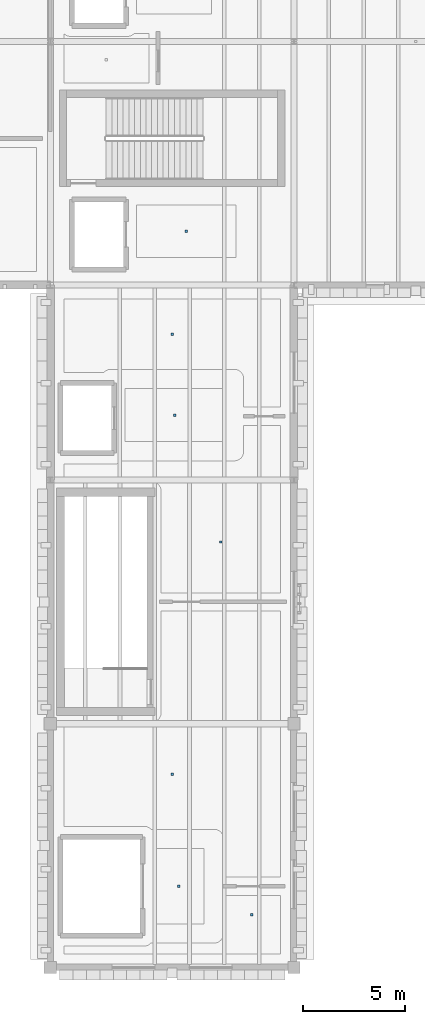
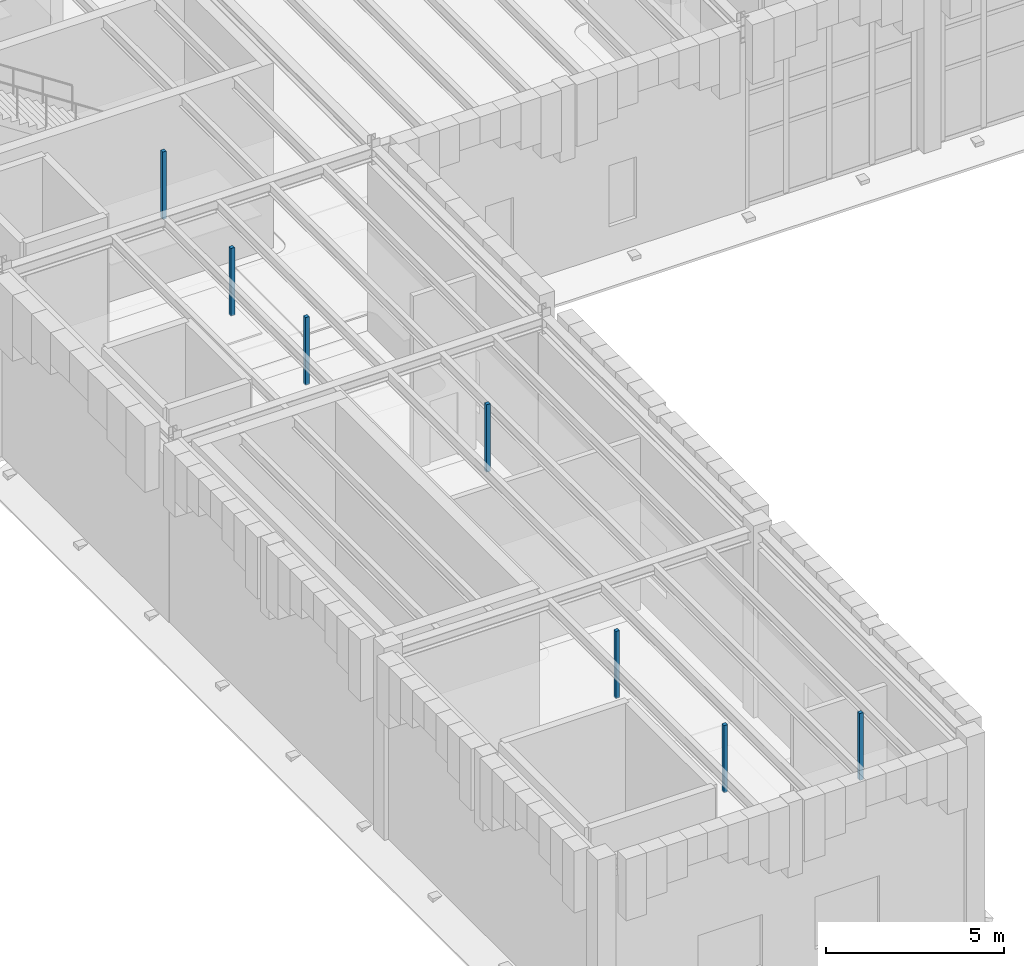
# One storey, part 47 of 62: 7 discrete accessories.
"""IFC4 building model written with IfcOpenShell, lengths in metres."""

from ifc_helpers import new_model, si_unit, direction, frame, origin, origin_2d, place, context, subcontext, project, spatial, rectangle, extrude, material, type_object, element, save


model = new_model("IFC4")

# Units and contexts
model_context = context("Model", 3, precision=1e-05, world=origin(), true_north=direction((0.0, 1.0)))
body_context = subcontext(model_context, "Body", "Model", "MODEL_VIEW")
ifc_project = project(units=[si_unit("LENGTHUNIT", "METRE"), si_unit("AREAUNIT", "SQUARE_METRE"), si_unit("VOLUMEUNIT", "CUBIC_METRE"), si_unit("PLANEANGLEUNIT", "RADIAN"), si_unit("MASSUNIT", "GRAM", prefix="KILO")], contexts=[model_context])

# Site, building, storey
site_placement = place(None, origin())
site = spatial("IfcSite", under=ifc_project, at=site_placement, CompositionType="ELEMENT")
building_placement = place(site_placement, origin())
building = spatial("IfcBuilding", under=site, at=building_placement, Name="Zlatogorsky Bluff Art Gallery", CompositionType="ELEMENT")
storey_placement = place(building_placement, frame((0.0, 0.0, 16.800048828125)))
storey = spatial("IfcBuildingStorey", under=building, at=storey_placement, Name="L03", CompositionType="ELEMENT", Elevation=16.800048828125)

# Discrete accessories
ifc_material = material(Name="Steel S355", Category="steel")
discrete_accessory_type = type_object("IfcDiscreteAccessoryType", Name="Stainless Facade Fin Bracket BRK-01", PredefinedType="BRACKET", material=ifc_material)
for number, where, z_axis, x_axis, name in (
    (1, (126.1201171875, 77.60009765625, 4.0546875), (0.0, 0.0, 1.0), (1.0, 0.0, 0.0), "Acoustic ceiling suspension hanger L03-FL-1-LB"),
    (2, (126.699951171875, 86.64990234375, 4.0546875), (0.0, 0.0, 1.0), (1.0, 0.0, 0.0), "Acoustic ceiling suspension hanger L03-FL-2-LB"),
):
    element("IfcDiscreteAccessory", number, at=place(storey_placement, frame(where, z_axis=z_axis, x_axis=x_axis)), inside=storey, type_object=discrete_accessory_type, Name=name, PredefinedType="BRACKET", context=body_context, shape_type="SweptSolid", body=[
        extrude(rectangle(XDim=0.1201171875, YDim=0.1201171875, at=origin_2d()), origin(), (0.0, 0.0, 1.0), 2.320068359375),
    ])
for number, where, z_axis, x_axis, name in (
    (3, (126.320068359375, 54.39990234375, 4.0546875), (0.0, 0.0, 1.0), (1.0, 0.0, 0.0), "Acoustic ceiling suspension hanger L03-GL-1-LB"),
    (4, (129.925048828125, 53.0, 4.0546875), (0.0, 0.0, 1.0), (1.0, 0.0, 0.0), "Acoustic ceiling suspension hanger L03-RD-11"),
    (5, (126.0, 59.919921875, 4.0546875), (0.0, 0.0, 1.0), (1.0, 0.0, 0.0), "Acoustic ceiling suspension hanger L03-RD-12"),
):
    element("IfcDiscreteAccessory", number, at=place(storey_placement, frame(where, z_axis=z_axis, x_axis=x_axis)), inside=storey, type_object=discrete_accessory_type, Name=name, PredefinedType="BRACKET", context=body_context, shape_type="SweptSolid", body=[
        extrude(rectangle(XDim=0.1201171875, YDim=0.1201171875, at=origin_2d()), origin(), (0.0, 0.0, 1.0), 2.300048828125),
    ])
for number, where, z_axis, x_axis, name in (
    (6, (128.39501953125, 71.3505859375, 4.0546875), (0.0, 0.0, 1.0), (1.0, 0.0, 0.0), "Acoustic ceiling suspension hanger L03-RD-13"),
    (7, (126.0, 81.590087890625, 4.0546875), (0.0, 0.0, 1.0), (1.0, 0.0, 0.0), "Acoustic ceiling suspension hanger L03-RD-14"),
):
    element("IfcDiscreteAccessory", number, at=place(storey_placement, frame(where, z_axis=z_axis, x_axis=x_axis)), inside=storey, type_object=discrete_accessory_type, Name=name, PredefinedType="BRACKET", context=body_context, shape_type="SweptSolid", body=[
        extrude(rectangle(XDim=0.1201171875, YDim=0.1201171875, at=origin_2d()), origin(), (0.0, 0.0, 1.0), 2.320068359375),
    ])

save(model, "model.ifc")
